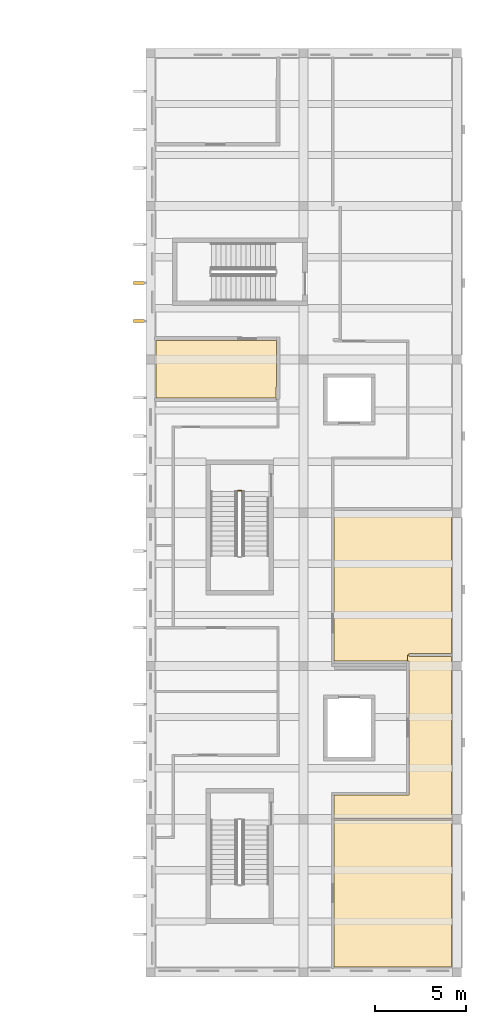
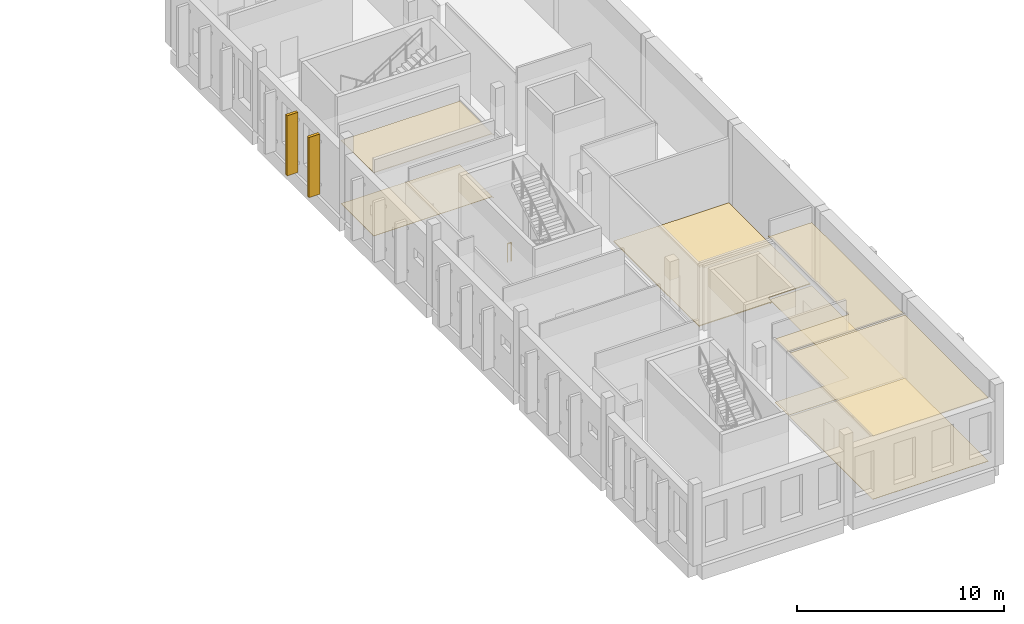
# One storey, part 26 of 37: 9 coverings, 1 railing.
"""IFC4 building model written with IfcOpenShell, lengths in metres."""

from ifc_helpers import new_model, si_unit, direction, frame, origin, origin_2d, place, context, subcontext, project, spatial, polyline, circle, outline, extrude, material, layer, layer_set, type_object, element, save


model = new_model("IFC4")

# Units and contexts
model_context = context("Model", 3, precision=1e-05, world=origin(), true_north=direction((0.0, 1.0)))
body_context = subcontext(model_context, "Body", "Model", "MODEL_VIEW")
ifc_project = project(units=[si_unit("LENGTHUNIT", "METRE"), si_unit("AREAUNIT", "SQUARE_METRE"), si_unit("VOLUMEUNIT", "CUBIC_METRE"), si_unit("PLANEANGLEUNIT", "RADIAN"), si_unit("MASSUNIT", "GRAM", prefix="KILO")], contexts=[model_context])

# Site, building, storey
site_placement = place(None, origin())
site = spatial("IfcSite", under=ifc_project, at=site_placement, CompositionType="ELEMENT")
building_placement = place(site_placement, origin())
building = spatial("IfcBuilding", under=site, at=building_placement, Name="Larchfold Concert Hall", CompositionType="ELEMENT")
storey_placement = place(building_placement, frame((0.0, 0.0, 19.199951171875)))
storey = spatial("IfcBuildingStorey", under=building, at=storey_placement, Name="L04", CompositionType="ELEMENT", Elevation=19.199951171875)

# Coverings
ifc_material_1 = material(Name="Plasterboard ceiling lining")
ifc_layer_1 = layer(ifc_material_1, 0.030029296875)
ifc_layer_set_1 = layer_set([ifc_layer_1], Name="Plasterboard ceiling lining")
covering_type_1 = type_object("IfcCoveringType", Name="Ceiling suspended plasterboard 30", PredefinedType="CEILING", material=ifc_layer_set_1)
covering_1_placement = place(storey_placement, frame((0.0, 0.0, 3.710205078125)))
element("IfcCovering", 1, at=covering_1_placement, inside=storey, type_object=covering_type_1, Name="Ceiling Soloist Suite 01", PredefinedType="CEILING", context=body_context, shape_type="SweptSolid", body=[
    extrude(outline(polyline([(94.6650390625, 9.0), (94.66259765625, 0.900146484375), (101.099853515625, 0.900146484375), (101.099853515625, 8.949951171875), (94.6650390625, 8.949951171875), (94.6650390625, 9.0)])), origin(), (0.0, 0.0, 1.0), 0.030029296875),
])
covering_2_placement = place(storey_placement, frame((0.0, 0.0, 3.710205078125)))
element("IfcCovering", 2, at=covering_2_placement, inside=storey, type_object=covering_type_1, Name="Ceiling Soloist Suite 02", PredefinedType="CEILING", context=body_context, shape_type="SweptSolid", body=[
    extrude(outline(polyline([(94.6650390625, 9.0), (94.6650390625, 9.050048828125), (101.099853515625, 9.050048828125), (101.099853515625, 17.925048828125), (98.77392578125, 17.925048828125), (98.77392578125, 18.0), (98.699462890625, 18.0), (98.699462890625, 17.674072265625), (98.761474609375, 17.674072265625), (98.761474609375, 10.33837890625), (94.66357421875, 10.33154296875), (94.6650390625, 9.0)])), origin(), (0.0, 0.0, 1.0), 0.030029296875),
])
covering_3_placement = place(storey_placement, frame((0.0, 0.0, 3.710205078125)))
element("IfcCovering", 3, at=covering_3_placement, inside=storey, type_object=covering_type_1, Name="Ceiling Practice Room 01", PredefinedType="CEILING", context=body_context, shape_type="SweptSolid", body=[
    extrude(outline(polyline([(91.4951171875, 32.10009765625), (91.4951171875, 32.0), (91.535400390625, 32.0), (91.535400390625, 32.02001953125), (91.498046875, 32.02001953125), (91.5009765625, 35.349853515625), (91.500732421875, 35.240966796875), (84.900146484375, 35.2509765625), (84.900146484375, 32.10009765625), (91.4951171875, 32.10009765625)])), origin(), (0.0, 0.0, 1.0), 0.030029296875),
])
ifc_material_2 = material(Name="Sealed cement screed")
ifc_layer_2 = layer(ifc_material_2, 0.050048828125)
ifc_layer_set_2 = layer_set([ifc_layer_2], Name="Sealed cement screed")
covering_type_2 = type_object("IfcCoveringType", Name="Floor finish sealed screed 50", PredefinedType="FLOORING", material=ifc_layer_set_2)
covering_4_placement = place(storey_placement, origin())
element("IfcCovering", 4, at=covering_4_placement, inside=storey, type_object=covering_type_2, Name="Floor finish Artists' Plant Room", PredefinedType="FLOORING", context=body_context, shape_type="SweptSolid", body=[
    extrude(outline(polyline([(94.673828125, 17.580078125), (94.677001953125, 17.68505859375), (98.634033203125, 17.68408203125), (98.634033203125, 17.5791015625), (98.636474609375, 17.674072265625), (98.7294921875, 17.674072265625), (98.7294921875, 18.0), (98.77392578125, 18.0), (98.77392578125, 18.074951171875), (101.099853515625, 18.074951171875), (101.099853515625, 25.925048828125), (94.675048828125, 25.925048828125), (94.673828125, 17.580078125)])), origin(), (0.0, 0.0, 1.0), 0.050048828125),
])
ifc_material_3 = material(Name="Linoleum sheet")
ifc_layer_3 = layer(ifc_material_3, 0.02001953125)
ifc_layer_set_3 = layer_set([ifc_layer_3], Name="Linoleum sheet")
covering_type_3 = type_object("IfcCoveringType", Name="Floor finish vinyl 20", PredefinedType="FLOORING", material=ifc_layer_set_3)
covering_5_placement = place(storey_placement, origin())
element("IfcCovering", 5, at=covering_5_placement, inside=storey, type_object=covering_type_3, Name="Floor finish Soloist Suite 01", PredefinedType="FLOORING", context=body_context, shape_type="SweptSolid", body=[
    extrude(outline(polyline([(94.6650390625, 9.0), (94.66259765625, 0.900146484375), (101.099853515625, 0.900146484375), (101.099853515625, 8.949951171875), (94.6650390625, 8.949951171875), (94.6650390625, 9.0)])), origin(), (0.0, 0.0, 1.0), 0.02001953125),
])
covering_6_placement = place(storey_placement, origin())
element("IfcCovering", 6, at=covering_6_placement, inside=storey, type_object=covering_type_3, Name="Floor finish Soloist Suite 02", PredefinedType="FLOORING", context=body_context, shape_type="SweptSolid", body=[
    extrude(outline(polyline([(94.6650390625, 9.0), (94.6650390625, 9.050048828125), (101.099853515625, 9.050048828125), (101.099853515625, 17.925048828125), (98.77392578125, 17.925048828125), (98.77392578125, 18.0), (98.699462890625, 18.0), (98.699462890625, 17.674072265625), (98.761474609375, 17.674072265625), (98.761474609375, 10.33837890625), (94.66357421875, 10.33154296875), (94.6650390625, 9.0)])), origin(), (0.0, 0.0, 1.0), 0.02001953125),
])
covering_7_placement = place(storey_placement, origin())
element("IfcCovering", 7, at=covering_7_placement, inside=storey, type_object=covering_type_3, Name="Floor finish Practice Room 01", PredefinedType="FLOORING", context=body_context, shape_type="SweptSolid", body=[
    extrude(outline(polyline([(91.4951171875, 32.10009765625), (91.4951171875, 32.0), (91.535400390625, 32.0), (91.535400390625, 32.02001953125), (91.498046875, 32.02001953125), (91.5009765625, 35.349853515625), (91.500732421875, 35.240966796875), (84.900146484375, 35.2509765625), (84.900146484375, 32.10009765625), (91.4951171875, 32.10009765625)])), origin(), (0.0, 0.0, 1.0), 0.02001953125),
])
ifc_material_4 = material(Name="Glulam GL30c", Category="wood")
ifc_layer_4 = layer(ifc_material_4, 0.159912109375)
ifc_layer_set_4 = layer_set([ifc_layer_4], Name="Glulam GL30c")
covering_type_4 = type_object("IfcCoveringType", Name="Glulam fin 160x600", PredefinedType="CLADDING", material=ifc_layer_set_4)
covering_8_placement = place(storey_placement, frame((0.0, 0.0, 0.199951171875)))
element("IfcCovering", 8, at=covering_8_placement, inside=storey, type_object=covering_type_4, Name="Glulam fin FN-L04-004", PredefinedType="CLADDING", context=body_context, shape_type="SweptSolid", body=[
    extrude(outline(polyline([(84.275146484375, 36.219970703125), (84.275146484375, 36.3798828125), (83.675048828125, 36.3798828125), (83.675048828125, 36.219970703125), (84.275146484375, 36.219970703125)])), origin(), (0.0, 0.0, 1.0), 3.5400390625),
])
covering_9_placement = place(storey_placement, frame((0.0, 0.0, 0.199951171875)))
element("IfcCovering", 9, at=covering_9_placement, inside=storey, type_object=covering_type_4, Name="Glulam fin FN-L04-005", PredefinedType="CLADDING", context=body_context, shape_type="SweptSolid", body=[
    extrude(outline(polyline([(84.275146484375, 38.320068359375), (84.275146484375, 38.47998046875), (83.675048828125, 38.47998046875), (83.675048828125, 38.320068359375), (84.275146484375, 38.320068359375)])), origin(), (0.0, 0.0, 1.0), 3.5400390625),
])

# Railing
ifc_material_5 = material(Name="Stainless steel balustrade", Category="steel")
railing_type = type_object("IfcRailingType", Name="Stair guard 1100", PredefinedType="GUARDRAIL", material=ifc_material_5)
railing_placement = place(storey_placement, frame((89.39990234375, 27.0, 0.0)))
element("IfcRailing", 10, at=railing_placement, inside=storey, type_object=railing_type, Name="Guard GR0058", PredefinedType="GUARDRAIL", context=body_context, shape_type="SweptSolid", body=[
    extrude(circle(Radius=0.02392578125, at=origin_2d()), frame((0.0, 0.0, 1.076171875), z_axis=(1.0, 0.0, 0.0), x_axis=(0.0, 1.0, 0.0)), (0.0, 0.0, 1.0), 0.199951171875),
    extrude(circle(Radius=0.02099609375, at=origin_2d()), origin(), (0.0, 0.0, 1.0), 1.052001953125),
    extrude(circle(Radius=0.02099609375, at=origin_2d()), frame((0.199951171875, 0.0, 0.0)), (0.0, 0.0, 1.0), 1.052001953125),
])

save(model, "model.ifc")
